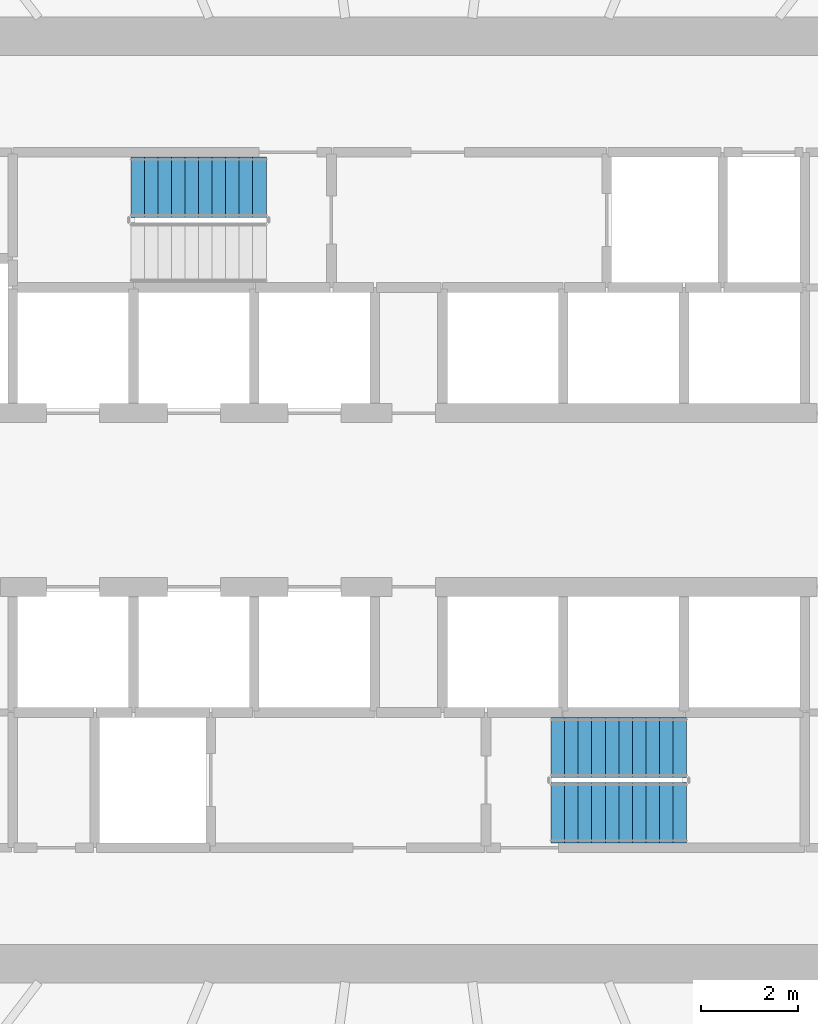
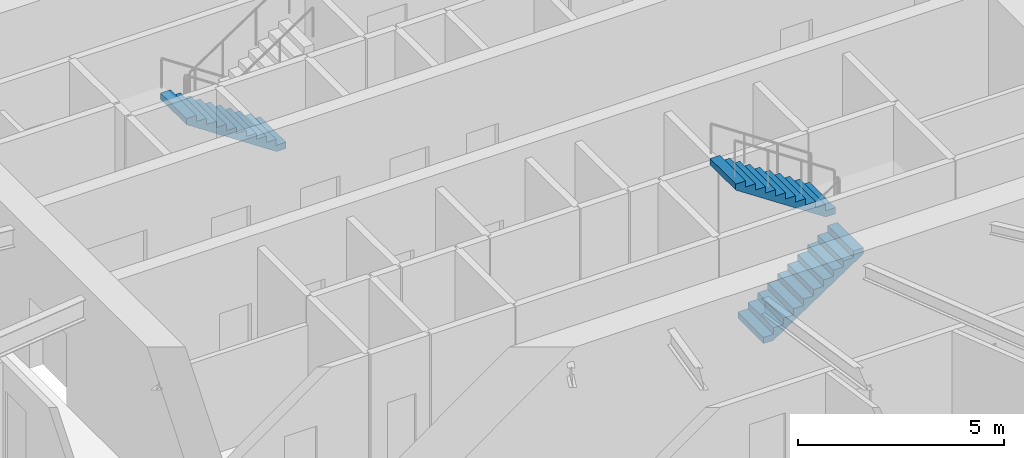
# One storey, part 14 of 17: 3 stair flights, 2 elements without a shape of their own.
"""IFC4 building model written with IfcOpenShell, lengths in metres."""

from ifc_helpers import new_model, si_unit, direction, frame, origin, place, context, subcontext, project, spatial, line, indexed_curve, outline, extrude, material, type_object, element, aggregate, save


model = new_model("IFC4")

# Units and contexts
model_context = context("Model", 3, precision=1e-05, world=origin(), true_north=direction((0.0, 1.0)))
body_context = subcontext(model_context, "Body", "Model", "MODEL_VIEW")
ifc_project = project(units=[si_unit("LENGTHUNIT", "METRE"), si_unit("AREAUNIT", "SQUARE_METRE"), si_unit("VOLUMEUNIT", "CUBIC_METRE"), si_unit("PLANEANGLEUNIT", "RADIAN"), si_unit("MASSUNIT", "GRAM", prefix="KILO")], contexts=[model_context])

# Site, building, storey
site_placement = place(None, origin())
site = spatial("IfcSite", under=ifc_project, at=site_placement, CompositionType="ELEMENT")
building_placement = place(site_placement, origin())
building = spatial("IfcBuilding", under=site, at=building_placement, Name="Spindrift Exchange Tower", CompositionType="ELEMENT")
storey_placement = place(building_placement, frame((0.0, 0.0, 108.5)))
storey = spatial("IfcBuildingStorey", under=building, at=storey_placement, Name="L25", CompositionType="ELEMENT", Elevation=108.5)

# Stair, stair flight
ifc_material = material(Name="Concrete 50 MPa", Category="concrete")
stair_type = type_object("IfcStairType", Name="ST-1250-R186", PredefinedType="HALF_TURN_STAIR", material=ifc_material)
stair_1_placement = place(storey_placement, origin())
stair_1 = element("IfcStair", 1, at=stair_1_placement, inside=storey, type_object=stair_type, Name="L25 Exit stair ST1", PredefinedType="HALF_TURN_STAIR")
stair_flight_type = type_object("IfcStairFlightType", Name="STF-1250-R186", PredefinedType="STRAIGHT", material=ifc_material)
stair_flight_1_placement = place(storey_placement, frame((49.050048828125, 54.47509765625, 0.0), z_axis=(0.0, 0.0, 1.0), x_axis=(-1.0, 0.0, 0.0)))
stair_flight_1 = element("IfcStairFlight", 2, at=stair_flight_1_placement, type_object=stair_flight_type, Name="ST1 flight 1", NumberOfRisers=11, NumberOfTreads=10, PredefinedType="STRAIGHT", RiserHeight=0.186363636, TreadLength=0.28, context=body_context, shape_type="SweptSolid", body=[
    extrude(outline(indexed_curve([(0.0, 0.0), (0.0, 0.1865234375), (0.2802734375, 0.1865234375), (0.2802734375, 0.373046875), (0.5595703125, 0.373046875), (0.5595703125, 0.5595703125), (0.83984375, 0.5595703125), (0.83984375, 0.7451171875), (1.1201171875, 0.7451171875), (1.1201171875, 0.931640625), (1.400390625, 0.931640625), (1.400390625, 1.1181640625), (1.6796875, 1.1181640625), (1.6796875, 1.3046875), (1.9599609375, 1.3046875), (1.9599609375, 1.4912109375), (2.240234375, 1.4912109375), (2.240234375, 1.677734375), (2.51953125, 1.677734375), (2.51953125, 1.86328125), (2.7998046875, 1.86328125), (2.7998046875, 2.0498046875), (2.7998046875, 1.68359375), (0.2705078125, 0.0)], segments=[line(1, 2, 3, 4, 5, 6, 7, 8, 9, 10, 11, 12, 13, 14, 15, 16, 17, 18, 19, 20, 21, 22, 23, 24, 1)], self_intersect=False)), frame((0.0, 0.625, 0.0), z_axis=(0.0, -1.0, 0.0), x_axis=(1.0, 0.0, 0.0)), (0.0, 0.0, 1.0), 1.25),
])
aggregate(stair_1, [stair_flight_1])

# Stair, stair flights
stair_2_placement = place(storey_placement, origin())
stair_2 = element("IfcStair", 3, at=stair_2_placement, inside=storey, type_object=stair_type, Name="L25 Exit stair ST2", PredefinedType="HALF_TURN_STAIR")
stair_flight_2_placement = place(storey_placement, frame((54.949951171875, 41.52490234375, 0.0), z_axis=(0.0, 0.0, 1.0), x_axis=(1.0, 0.0, 0.0)))
stair_flight_2 = element("IfcStairFlight", 4, at=stair_flight_2_placement, type_object=stair_flight_type, Name="ST2 flight 1", NumberOfRisers=11, NumberOfTreads=10, PredefinedType="STRAIGHT", RiserHeight=0.186363636, TreadLength=0.28, context=body_context, shape_type="SweptSolid", body=[
    extrude(outline(indexed_curve([(0.0, 0.0), (0.0, 0.1865234375), (0.2802734375, 0.1865234375), (0.2802734375, 0.373046875), (0.5595703125, 0.373046875), (0.5595703125, 0.5595703125), (0.83984375, 0.5595703125), (0.83984375, 0.7451171875), (1.1201171875, 0.7451171875), (1.1201171875, 0.931640625), (1.400390625, 0.931640625), (1.400390625, 1.1181640625), (1.6796875, 1.1181640625), (1.6796875, 1.3046875), (1.9599609375, 1.3046875), (1.9599609375, 1.4912109375), (2.240234375, 1.4912109375), (2.240234375, 1.677734375), (2.51953125, 1.677734375), (2.51953125, 1.86328125), (2.7998046875, 1.86328125), (2.7998046875, 2.0498046875), (2.7998046875, 1.68359375), (0.2705078125, 0.0)], segments=[line(1, 2, 3, 4, 5, 6, 7, 8, 9, 10, 11, 12, 13, 14, 15, 16, 17, 18, 19, 20, 21, 22, 23, 24, 1)], self_intersect=False)), frame((0.0, 0.625, 0.0), z_axis=(0.0, -1.0, 0.0), x_axis=(1.0, 0.0, 0.0)), (0.0, 0.0, 1.0), 1.25),
])
stair_flight_3_placement = place(storey_placement, frame((57.75, 42.875, 2.050048828125), z_axis=(0.0, 0.0, 1.0), x_axis=(-1.0, 0.0, 0.0)))
stair_flight_3 = element("IfcStairFlight", 5, at=stair_flight_3_placement, type_object=stair_flight_type, Name="ST2 flight 2", NumberOfRisers=11, NumberOfTreads=10, PredefinedType="STRAIGHT", RiserHeight=0.186363636, TreadLength=0.28, context=body_context, shape_type="SweptSolid", body=[
    extrude(outline(indexed_curve([(0.0, 0.0), (0.0, 0.1865234375), (0.2802734375, 0.1865234375), (0.2802734375, 0.373046875), (0.5595703125, 0.373046875), (0.5595703125, 0.5595703125), (0.83984375, 0.5595703125), (0.83984375, 0.7451171875), (1.1201171875, 0.7451171875), (1.1201171875, 0.931640625), (1.400390625, 0.931640625), (1.400390625, 1.1181640625), (1.6796875, 1.1181640625), (1.6796875, 1.3046875), (1.9599609375, 1.3046875), (1.9599609375, 1.4912109375), (2.240234375, 1.4912109375), (2.240234375, 1.677734375), (2.51953125, 1.677734375), (2.51953125, 1.86328125), (2.7998046875, 1.86328125), (2.7998046875, 2.0498046875), (2.7998046875, 1.68359375), (0.2705078125, 0.0)], segments=[line(1, 2, 3, 4, 5, 6, 7, 8, 9, 10, 11, 12, 13, 14, 15, 16, 17, 18, 19, 20, 21, 22, 23, 24, 1)], self_intersect=False)), frame((0.0, 0.625, 0.0), z_axis=(0.0, -1.0, 0.0), x_axis=(1.0, 0.0, 0.0)), (0.0, 0.0, 1.0), 1.25),
])
aggregate(stair_2, [stair_flight_2, stair_flight_3])

save(model, "model.ifc")
